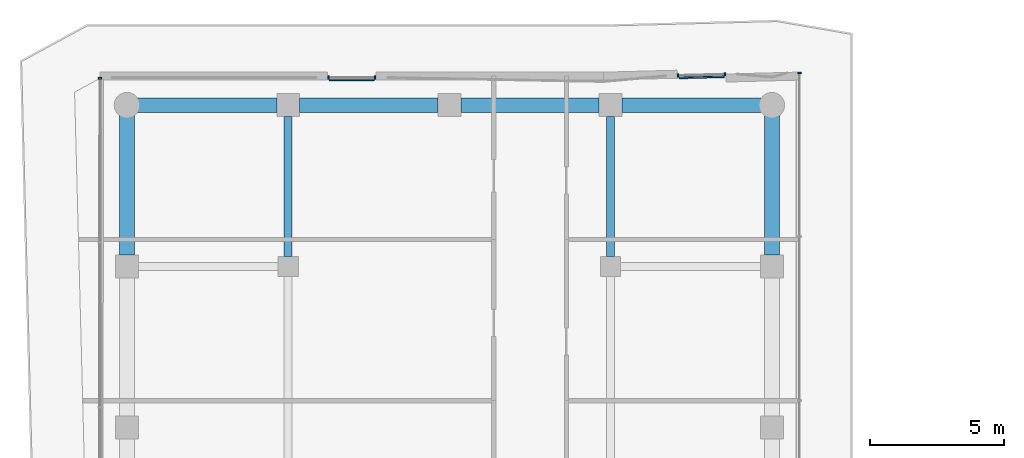
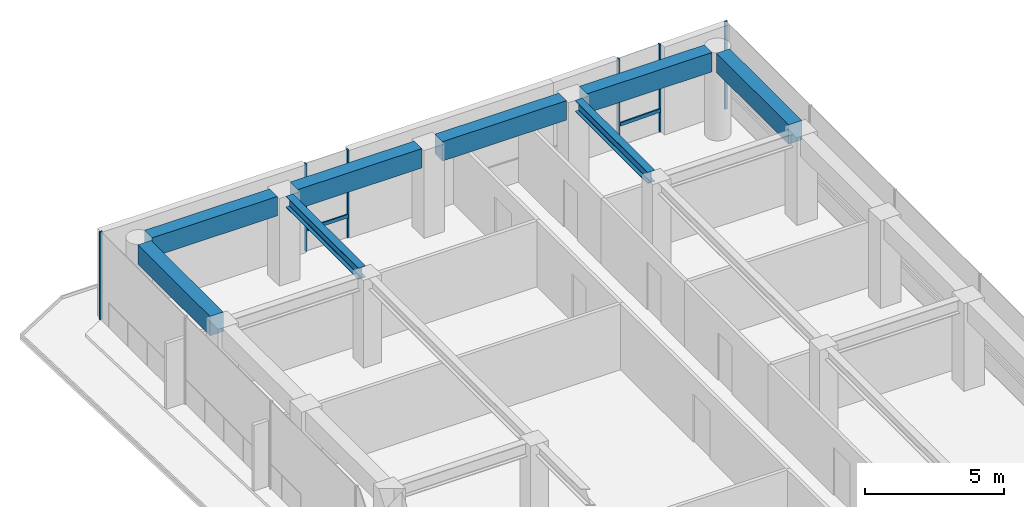
# One storey, part 14 of 20: 8 beams, 8 members, 4 elements without a shape of their own.
"""IFC4 building model written with IfcOpenShell, lengths in metres."""

from ifc_helpers import new_model, si_unit, direction, frame, origin, origin_2d, place, context, subcontext, project, spatial, rectangle, i_section, extrude, material, layer, layer_set, material_profile, profile_set, type_object, element, aggregate, save


model = new_model("IFC4")

# Units and contexts
model_context = context("Model", 3, precision=1e-05, world=origin(), true_north=direction((0.0, 1.0)))
body_context = subcontext(model_context, "Body", "Model", "MODEL_VIEW")
ifc_project = project(units=[si_unit("LENGTHUNIT", "METRE"), si_unit("AREAUNIT", "SQUARE_METRE"), si_unit("VOLUMEUNIT", "CUBIC_METRE"), si_unit("PLANEANGLEUNIT", "RADIAN"), si_unit("MASSUNIT", "GRAM", prefix="KILO")], contexts=[model_context])

# Site, building, storey
site_placement = place(None, origin())
site = spatial("IfcSite", under=ifc_project, at=site_placement, CompositionType="ELEMENT")
building_placement = place(site_placement, origin())
building = spatial("IfcBuilding", under=site, at=building_placement, Name="Welwitschia Terrace Campus", CompositionType="ELEMENT")
storey_placement = place(building_placement, frame((0.0, 0.0, 176.0)))
storey = spatial("IfcBuildingStorey", under=building, at=storey_placement, Name="L39", CompositionType="ELEMENT", Elevation=176.0)

# Beams
ifc_material_1 = material(Name="Steel S355", Category="steel")
ifc_material_profile_1 = material_profile(ifc_material_1, i_section(OverallWidth=0.300048828125, OverallDepth=0.489990234375, WebThickness=0.011962890625, FlangeThickness=0.02294921875, FilletRadius=0.027099609375, at=origin_2d()))
ifc_profile_set_1 = profile_set([ifc_material_profile_1], Name="Steel S355")
beam_type_1 = type_object("IfcBeamType", Name="Interior girder HE 500 A", PredefinedType="BEAM", material=ifc_profile_set_1)
for number, where, z_axis, x_axis, name in (
    (1, (6.0, 56.37548828125, 3.60498046875), (0.0, 1.0, 0.0), (-1.0, 0.0, 0.0), "Girder GB4"),
    (2, (18.0, 56.37548828125, 3.60498046875), (0.0, 1.0, 0.0), (-1.0, 0.0, 0.0), "Girder GB4"),
):
    element("IfcBeam", number, at=place(storey_placement, frame(where, z_axis=z_axis, x_axis=x_axis)), inside=storey, type_object=beam_type_1, Name=name, PredefinedType="BEAM", context=body_context, shape_type="SweptSolid", body=[
        extrude(i_section(OverallWidth=0.300048828125, OverallDepth=0.489990234375, WebThickness=0.011962890625, FlangeThickness=0.02294921875, FilletRadius=0.027099609375, at=origin_2d()), origin(), (0.0, 0.0, 1.0), 5.208984375),
    ])

# Curtain wall, member
ifc_material_2 = material(Name="Bronze anodised aluminium", Category="aluminium")
ifc_layer = layer(ifc_material_2, 0.1201171875)
ifc_layer_set = layer_set([ifc_layer], Name="Bronze anodised aluminium")
curtain_wall_type = type_object("IfcCurtainWallType", Name="Curtain wall CW2 tower 6000", PredefinedType="NOTDEFINED", material=ifc_layer_set)
curtain_wall_1_placement = place(storey_placement, origin())
curtain_wall_1 = element("IfcCurtainWall", 3, at=curtain_wall_1_placement, inside=storey, type_object=curtain_wall_type, Name="CW L39.9.0", PredefinedType="NOTDEFINED")
ifc_material_3 = material(Name="Bronze anodised aluminium", Category="aluminium")
ifc_material_profile_2 = material_profile(ifc_material_3, rectangle(XDim=0.1201171875, YDim=0.06005859375, at=origin_2d()))
ifc_profile_set_2 = profile_set([ifc_material_profile_2], Name="Bronze anodised aluminium")
member_type_1 = type_object("IfcMemberType", Name="Mullion 60x120", PredefinedType="MULLION", material=ifc_profile_set_2)
member_1_placement = place(storey_placement, frame((25.030029296875, 63.19091796875, 0.0), z_axis=(0.0, 0.0, 1.0), x_axis=(-1.0, 0.0, 0.0)))
member_1 = element("IfcMember", 4, at=member_1_placement, type_object=member_type_1, Name="Mullion L39.9.0.6", PredefinedType="MULLION", context=body_context, shape_type="SweptSolid", body=[
    extrude(rectangle(XDim=0.1201171875, YDim=0.06005859375, at=origin_2d()), origin(), (0.0, 0.0, 1.0), 3.85009765625),
])
aggregate(curtain_wall_1, [member_1])

# Curtain wall, members
curtain_wall_2_placement = place(storey_placement, origin())
curtain_wall_2 = element("IfcCurtainWall", 5, at=curtain_wall_2_placement, inside=storey, type_object=curtain_wall_type, Name="CW L39.10.S0", PredefinedType="NOTDEFINED")
member_2_placement = place(storey_placement, frame((22.252197265625, 63.148193359375, 0.0), z_axis=(0.0, 0.0, 1.0), x_axis=(0.026176948308, -0.999657324976, 0.0)))
member_2 = element("IfcMember", 6, at=member_2_placement, type_object=member_type_1, Name="Mullion L39.10.S0.0", PredefinedType="MULLION", context=body_context, shape_type="SweptSolid", body=[
    extrude(rectangle(XDim=0.1201171875, YDim=0.06005859375, at=origin_2d()), origin(), (0.0, 0.0, 1.0), 3.85009765625),
])
member_3_placement = place(storey_placement, frame((20.512939453125, 63.102783203125, 0.0), z_axis=(0.0, 0.0, 1.0), x_axis=(0.026176948308, -0.999657324976, 0.0)))
member_3 = element("IfcMember", 7, at=member_3_placement, type_object=member_type_1, Name="Mullion L39.10.S0.1", PredefinedType="MULLION", context=body_context, shape_type="SweptSolid", body=[
    extrude(rectangle(XDim=0.1201171875, YDim=0.06005859375, at=origin_2d()), origin(), (0.0, 0.0, 1.0), 3.85009765625),
])

curtain_wall_3_placement = place(storey_placement, origin())
curtain_wall_3 = element("IfcCurtainWall", 8, at=curtain_wall_3_placement, inside=storey, type_object=curtain_wall_type, Name="CW L39.11.S0", PredefinedType="NOTDEFINED")
member_4_placement = place(storey_placement, frame((9.23388671875, 63.030029296875, 0.0), z_axis=(0.0, 0.0, 1.0), x_axis=(0.0, -1.0, 0.0)))
member_4 = element("IfcMember", 9, at=member_4_placement, type_object=member_type_1, Name="Mullion L39.11.S0.0", PredefinedType="MULLION", context=body_context, shape_type="SweptSolid", body=[
    extrude(rectangle(XDim=0.1201171875, YDim=0.06005859375, at=origin_2d()), origin(), (0.0, 0.0, 1.0), 3.85009765625),
])
member_5_placement = place(storey_placement, frame((7.493896484375, 63.030029296875, 0.0), z_axis=(0.0, 0.0, 1.0), x_axis=(0.0, -1.0, 0.0)))
member_5 = element("IfcMember", 10, at=member_5_placement, type_object=member_type_1, Name="Mullion L39.11.S0.1", PredefinedType="MULLION", context=body_context, shape_type="SweptSolid", body=[
    extrude(rectangle(XDim=0.1201171875, YDim=0.06005859375, at=origin_2d()), origin(), (0.0, 0.0, 1.0), 3.85009765625),
])

# Curtain wall, member
curtain_wall_4_placement = place(storey_placement, origin())
curtain_wall_4 = element("IfcCurtainWall", 11, at=curtain_wall_4_placement, inside=storey, type_object=curtain_wall_type, Name="CW L39.12.0", PredefinedType="NOTDEFINED")
member_6_placement = place(storey_placement, frame((-1.007568359375, 63.0, 0.0), z_axis=(0.0, 0.0, 1.0), x_axis=(0.999999815296, -0.000607788744, 0.0)))
member_6 = element("IfcMember", 12, at=member_6_placement, type_object=member_type_1, Name="Mullion L39.12.0.0", PredefinedType="MULLION", context=body_context, shape_type="SweptSolid", body=[
    extrude(rectangle(XDim=0.1201171875, YDim=0.06005859375, at=origin_2d()), origin(), (0.0, 0.0, 1.0), 3.85009765625),
])
aggregate(curtain_wall_4, [member_6])

# Beams
ifc_material_4 = material(Name="Concrete C50/60", Category="concrete")
ifc_material_profile_3 = material_profile(ifc_material_4, rectangle(XDim=0.550048828125, YDim=0.85009765625, at=origin_2d()))
ifc_profile_set_3 = profile_set([ifc_material_profile_3], Name="Concrete C50/60")
beam_type_2 = type_object("IfcBeamType", Name="Ring spandrel 550x850", PredefinedType="SPANDREL", material=ifc_profile_set_3)
for number, where, z_axis, x_axis, name in (
    (13, (24.0, 56.425537109375, 3.425048828125), (0.0, 1.0, 0.0), (-1.0, 0.0, 0.0), "Spandrel SP3"),
    (14, (23.612060546875, 62.0, 3.425048828125), (-1.0, 0.0, 0.0), (0.0, -1.0, 0.0), "Spandrel SP3"),
):
    element("IfcBeam", number, at=place(storey_placement, frame(where, z_axis=z_axis, x_axis=x_axis)), inside=storey, type_object=beam_type_2, Name=name, PredefinedType="SPANDREL", context=body_context, shape_type="SweptSolid", body=[
        extrude(rectangle(XDim=0.550048828125, YDim=0.85009765625, at=origin_2d()), origin(), (0.0, 0.0, 1.0), 5.1865234375),
    ])
for number, where, z_axis, x_axis, name in (
    (15, (17.574462890625, 62.0, 3.425048828125), (-1.0, 0.0, 0.0), (0.0, -1.0, 0.0), "Spandrel SP3"),
    (16, (11.574462890625, 62.0, 3.425048828125), (-1.0, 0.0, 0.0), (0.0, -1.0, 0.0), "Spandrel SP3"),
):
    element("IfcBeam", number, at=place(storey_placement, frame(where, z_axis=z_axis, x_axis=x_axis)), inside=storey, type_object=beam_type_2, Name=name, PredefinedType="SPANDREL", context=body_context, shape_type="SweptSolid", body=[
        extrude(rectangle(XDim=0.550048828125, YDim=0.85009765625, at=origin_2d()), origin(), (0.0, 0.0, 1.0), 5.14892578125),
    ])
for number, where, z_axis, x_axis, name in (
    (17, (5.574462890625, 62.0, 3.425048828125), (-1.0, 0.0, 0.0), (0.0, -1.0, 0.0), "Spandrel SP3"),
    (18, (0.0, 61.612060546875, 3.425048828125), (0.0, -1.0, 0.0), (1.0, 0.0, 0.0), "Spandrel SP3"),
):
    element("IfcBeam", number, at=place(storey_placement, frame(where, z_axis=z_axis, x_axis=x_axis)), inside=storey, type_object=beam_type_2, Name=name, PredefinedType="SPANDREL", context=body_context, shape_type="SweptSolid", body=[
        extrude(rectangle(XDim=0.550048828125, YDim=0.85009765625, at=origin_2d()), origin(), (0.0, 0.0, 1.0), 5.1865234375),
    ])

# Member
ifc_material_5 = material(Name="Bronze anodised aluminium", Category="aluminium")
ifc_material_profile_4 = material_profile(ifc_material_5, rectangle(XDim=0.06005859375, YDim=0.14990234375, at=origin_2d()))
ifc_profile_set_4 = profile_set([ifc_material_profile_4], Name="Bronze anodised aluminium")
member_type_2 = type_object("IfcMemberType", Name="Transom 60x150", PredefinedType="USERDEFINED", material=ifc_profile_set_4)
member_7_placement = place(storey_placement, frame((22.224609375, 63.0576171875, 1.0), z_axis=(-0.99965783038, -0.026157640568, 0.0), x_axis=(0.026157640568, -0.99965783038, 0.0)))
member_7 = element("IfcMember", 19, at=member_7_placement, type_object=member_type_2, Name="Transom L39.10.S0", ObjectType="TRANSOM", PredefinedType="USERDEFINED", context=body_context, shape_type="SweptSolid", body=[
    extrude(rectangle(XDim=0.06005859375, YDim=0.14990234375, at=origin_2d()), origin(), (0.0, 0.0, 1.0), 1.679931640625),
])

aggregate(curtain_wall_2, [member_2, member_3, member_7])

member_8_placement = place(storey_placement, frame((9.203857421875, 62.93994140625, 1.0), z_axis=(-1.0, 0.0, 0.0), x_axis=(0.0, -1.0, 0.0)))
member_8 = element("IfcMember", 20, at=member_8_placement, type_object=member_type_2, Name="Transom L39.11.S0", ObjectType="TRANSOM", PredefinedType="USERDEFINED", context=body_context, shape_type="SweptSolid", body=[
    extrude(rectangle(XDim=0.06005859375, YDim=0.14990234375, at=origin_2d()), origin(), (0.0, 0.0, 1.0), 1.679931640625),
])

aggregate(curtain_wall_3, [member_4, member_5, member_8])

save(model, "model.ifc")
